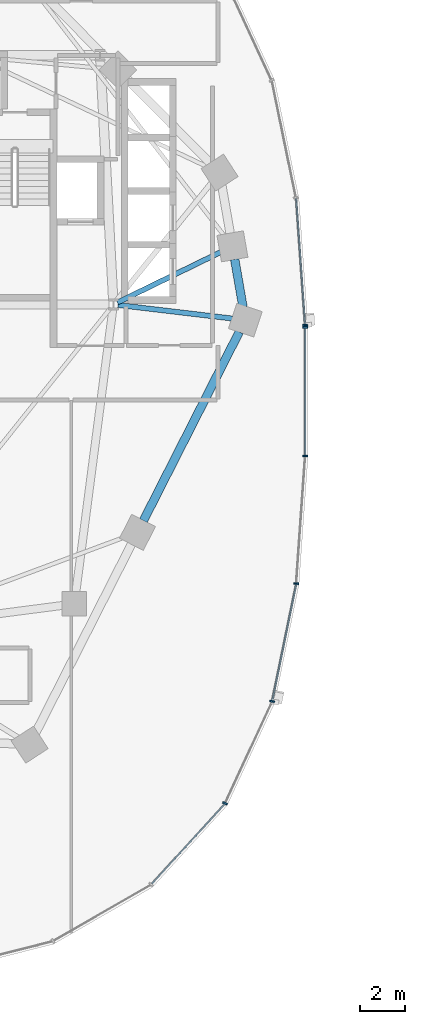
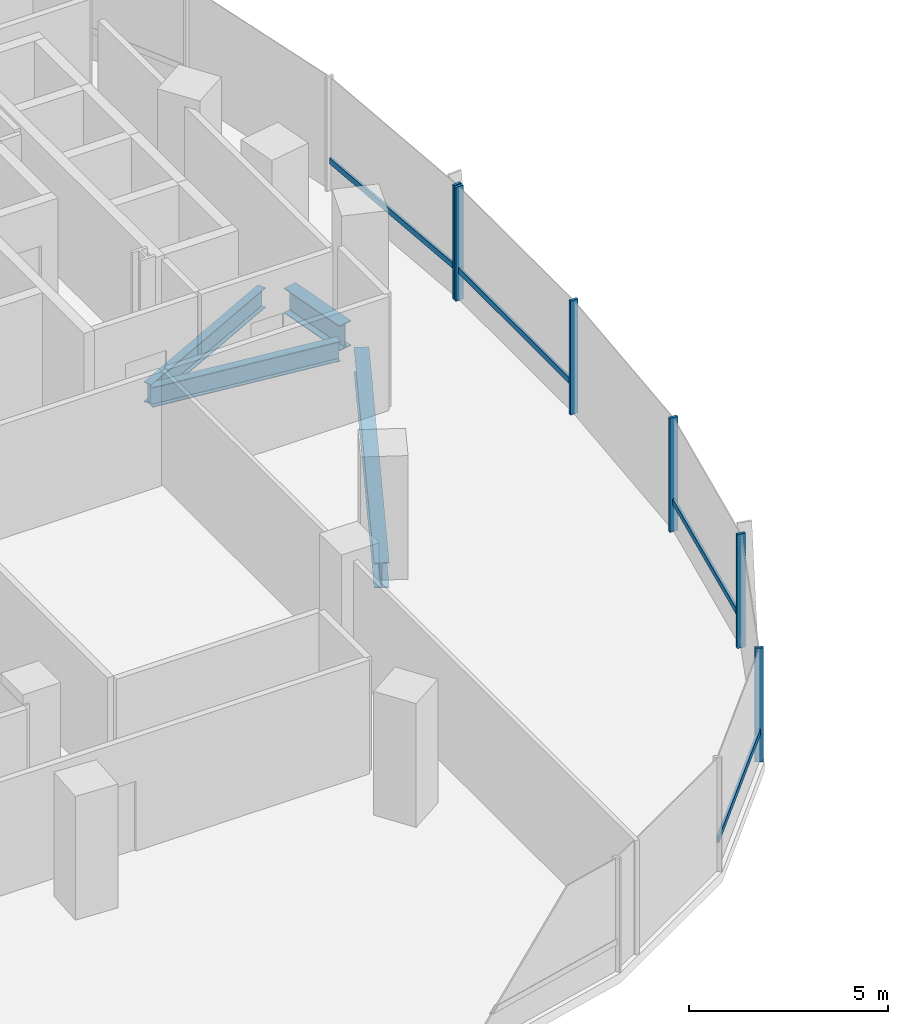
# One storey, part 3 of 21: 10 members, 4 beams, 2 elements without a shape of their own.
"""IFC4 building model written with IfcOpenShell, lengths in metres."""

from ifc_helpers import new_model, si_unit, direction, frame, origin, origin_2d, place, context, subcontext, project, spatial, rectangle, i_section, extrude, material, material_profile, profile_set, type_object, element, aggregate, save


model = new_model("IFC4")

# Units and contexts
model_context = context("Model", 3, precision=1e-05, world=origin(), true_north=direction((0.0, 1.0)))
body_context = subcontext(model_context, "Body", "Model", "MODEL_VIEW")
ifc_project = project(units=[si_unit("LENGTHUNIT", "METRE"), si_unit("AREAUNIT", "SQUARE_METRE"), si_unit("VOLUMEUNIT", "CUBIC_METRE"), si_unit("PLANEANGLEUNIT", "RADIAN"), si_unit("MASSUNIT", "GRAM", prefix="KILO"), si_unit("THERMODYNAMICTEMPERATUREUNIT", "KELVIN"), si_unit("POWERUNIT", "WATT")], contexts=[model_context])

# Site, building, storey
site_placement = place(None, origin())
site = spatial("IfcSite", under=ifc_project, at=site_placement, CompositionType="ELEMENT")
building_placement = place(site_placement, origin())
building = spatial("IfcBuilding", under=site, at=building_placement, Name="Cundina Bronze Exchange", CompositionType="ELEMENT")
storey_placement = place(building_placement, frame((0.0, 0.0, 31.60009765625)))
storey = spatial("IfcBuildingStorey", under=building, at=storey_placement, Name="L07", CompositionType="ELEMENT", Elevation=31.60009765625)

# Beams
ifc_material_1 = material(Name="Steel ASTM A992 Grade 50", Category="steel")
ifc_material_profile_1 = material_profile(ifc_material_1, i_section(OverallWidth=0.22998046875, OverallDepth=0.616943359375, WebThickness=0.01318359375, FlangeThickness=0.022216796875, FilletRadius=0.013916015625, at=origin_2d()), Name="W24X94", Category="steel")
ifc_profile_set_1 = profile_set([ifc_material_profile_1], Name="Steel ASTM A992 Grade 50")
beam_type_1 = type_object("IfcBeamType", Name="BM-FLR-W24B", PredefinedType="BEAM", material=ifc_profile_set_1)
beam_1_placement = place(storey_placement, frame((-21.247314453125, 3.8759765625, -0.608642578125), z_axis=(0.993035236117, -0.117817739878, 0.0), x_axis=(0.117817739878, 0.993035236117, 0.0)))
element("IfcBeam", 1, at=beam_1_placement, inside=storey, type_object=beam_type_1, Name="L07 Leg W Radial Floor Beam 00", PredefinedType="BEAM", context=body_context, shape_type="SweptSolid", body=[
    extrude(i_section(OverallWidth=0.22998046875, OverallDepth=0.616943359375, WebThickness=0.01318359375, FlangeThickness=0.022216796875, FilletRadius=0.013916015625, at=origin_2d()), origin(), (0.0, 0.0, 1.0), 5.1494140625),
])
beam_2_placement = place(storey_placement, frame((-21.2666015625, 3.989501953125, -0.608642578125), z_axis=(0.898610249448, 0.438747785849, 0.0), x_axis=(-0.438747785849, 0.898610249448, 0.0)))
element("IfcBeam", 2, at=beam_2_placement, inside=storey, type_object=beam_type_1, Name="L07 Leg W Radial Floor Beam 01", PredefinedType="BEAM", context=body_context, shape_type="SweptSolid", body=[
    extrude(i_section(OverallWidth=0.22998046875, OverallDepth=0.616943359375, WebThickness=0.01318359375, FlangeThickness=0.022216796875, FilletRadius=0.013916015625, at=origin_2d()), origin(), (0.0, 0.0, 1.0), 5.1337890625),
])
ifc_material_profile_2 = material_profile(ifc_material_1, i_section(OverallWidth=0.381103515625, OverallDepth=0.77294921875, WebThickness=0.0166015625, FlangeThickness=0.027099609375, FilletRadius=0.01904296875, at=origin_2d()), Name="W30X173", Category="steel")
ifc_profile_set_2 = profile_set([ifc_material_profile_2], Name="Steel ASTM A992 Grade 50")
beam_type_2 = type_object("IfcBeamType", Name="BM-RING-W30", PredefinedType="USERDEFINED", material=ifc_profile_set_2)
beam_3_placement = place(storey_placement, frame((-15.65087890625, 3.779296875, -0.6865234375), z_axis=(-0.171734584051, 0.985143254883, 0.0), x_axis=(-0.985143254883, -0.171734584051, 0.0)))
element("IfcBeam", 3, at=beam_3_placement, inside=storey, type_object=beam_type_2, Name="L07 W Perimeter Ring Girder 00", ObjectType="GIRDER", PredefinedType="USERDEFINED", context=body_context, shape_type="SweptSolid", body=[
    extrude(i_section(OverallWidth=0.381103515625, OverallDepth=0.77294921875, WebThickness=0.0166015625, FlangeThickness=0.027099609375, FilletRadius=0.01904296875, at=origin_2d()), origin(), (0.0, 0.0, 1.0), 2.173583984375),
])
beam_4_placement = place(storey_placement, frame((-20.108642578125, -5.775634765625, -0.6865234375), z_axis=(0.452819633606, 0.891602141889, 0.0), x_axis=(-0.891602141889, 0.452819633606, 0.0)))
element("IfcBeam", 4, at=beam_4_placement, inside=storey, type_object=beam_type_2, Name="L07 W Perimeter Ring Girder 13", ObjectType="GIRDER", PredefinedType="USERDEFINED", context=body_context, shape_type="SweptSolid", body=[
    extrude(i_section(OverallWidth=0.381103515625, OverallDepth=0.77294921875, WebThickness=0.0166015625, FlangeThickness=0.027099609375, FilletRadius=0.01904296875, at=origin_2d()), origin(), (0.0, 0.0, 1.0), 9.47900390625),
])

# Curtain wall, member
ifc_material_2 = material(Name="Anodised Bronze Aluminium 6063-T6", Category="aluminium")
curtain_wall_type = type_object("IfcCurtainWallType", Name="CWS-TRD-LOW", PredefinedType="NOTDEFINED", material=ifc_material_2)
curtain_wall_1_placement = place(storey_placement, origin())
curtain_wall_1 = element("IfcCurtainWall", 5, at=curtain_wall_1_placement, inside=storey, type_object=curtain_wall_type, Name="L07 CW-02 Curtain Wall Run CWR-L07-W1", PredefinedType="NOTDEFINED")
ifc_material_profile_3 = material_profile(ifc_material_2, rectangle(XDim=0.074951171875, YDim=0.219970703125, at=origin_2d()), Name="AL75X220", Category="aluminium")
ifc_profile_set_3 = profile_set([ifc_material_profile_3], Name="Anodised Bronze Aluminium 6063-T6")
member_type_1 = type_object("IfcMemberType", Name="CWM-MUL-220", PredefinedType="MULLION", material=ifc_profile_set_3)
member_1_placement = place(storey_placement, frame((-12.87548828125, 2.976318359375, 0.0), z_axis=(0.0, 0.0, 1.0), x_axis=(-0.070278787473, 0.997527389113, 0.0)))
member_1 = element("IfcMember", 6, at=member_1_placement, type_object=member_type_1, Name="CW-02 Mullion 1", PredefinedType="MULLION", context=body_context, shape_type="SweptSolid", body=[
    extrude(rectangle(XDim=0.074951171875, YDim=0.219970703125, at=origin_2d()), origin(), (0.0, 0.0, 1.0), 3.5),
])

# Curtain wall, members
curtain_wall_2_placement = place(storey_placement, origin())
curtain_wall_2 = element("IfcCurtainWall", 7, at=curtain_wall_2_placement, inside=storey, type_object=curtain_wall_type, Name="L07 CW-02 Curtain Wall Run CWR-L07-W4", PredefinedType="NOTDEFINED")
member_2_placement = place(storey_placement, frame((-16.455810546875, -18.423583984375, 0.0), z_axis=(0.0, 0.0, 1.0), x_axis=(0.42087749791, 0.907117485088, 0.0)))
member_2 = element("IfcMember", 8, at=member_2_placement, type_object=member_type_1, Name="CW-02 Mullion 4", PredefinedType="MULLION", context=body_context, shape_type="SweptSolid", body=[
    extrude(rectangle(XDim=0.074951171875, YDim=0.219970703125, at=origin_2d()), origin(), (0.0, 0.0, 1.0), 3.5),
])
member_3_placement = place(storey_placement, frame((-14.348876953125, -13.861328125, 0.0), z_axis=(0.0, 0.0, 1.0), x_axis=(0.201419845156, 0.979505000486, 0.0)))
member_3 = element("IfcMember", 9, at=member_3_placement, type_object=member_type_1, Name="CW-02 Mullion 5", PredefinedType="MULLION", context=body_context, shape_type="SweptSolid", body=[
    extrude(rectangle(XDim=0.074951171875, YDim=0.219970703125, at=origin_2d()), origin(), (0.0, 0.0, 1.0), 3.5),
])
member_4_placement = place(storey_placement, frame((-13.27099609375, -8.591552734375, 0.0), z_axis=(0.0, 0.0, 1.0), x_axis=(0.070278787473, 0.997527389113, 0.0)))
member_4 = element("IfcMember", 10, at=member_4_placement, type_object=member_type_1, Name="CW-02 Mullion 6", PredefinedType="MULLION", context=body_context, shape_type="SweptSolid", body=[
    extrude(rectangle(XDim=0.074951171875, YDim=0.219970703125, at=origin_2d()), origin(), (0.0, 0.0, 1.0), 3.5),
])
member_5_placement = place(storey_placement, frame((-12.8720703125, -2.880615234375, 0.0), z_axis=(0.0, 0.0, 1.0), x_axis=(0.0, 1.0, 0.0)))
member_5 = element("IfcMember", 11, at=member_5_placement, type_object=member_type_1, Name="CW-02 Mullion 7", PredefinedType="MULLION", context=body_context, shape_type="SweptSolid", body=[
    extrude(rectangle(XDim=0.074951171875, YDim=0.219970703125, at=origin_2d()), origin(), (0.0, 0.0, 1.0), 3.5),
])
member_6_placement = place(storey_placement, frame((-12.8720703125, 2.880615234375, 0.0), z_axis=(0.0, 0.0, 1.0), x_axis=(0.0, 1.0, 0.0)))
member_6 = element("IfcMember", 12, at=member_6_placement, type_object=member_type_1, Name="CW-02 End Mullion", PredefinedType="MULLION", context=body_context, shape_type="SweptSolid", body=[
    extrude(rectangle(XDim=0.074951171875, YDim=0.219970703125, at=origin_2d()), origin(), (0.0, 0.0, 1.0), 3.5),
])

# Member
ifc_material_profile_4 = material_profile(ifc_material_2, rectangle(XDim=0.070068359375, YDim=0.179931640625, at=origin_2d()), Name="AL70X180", Category="aluminium")
ifc_profile_set_4 = profile_set([ifc_material_profile_4], Name="Anodised Bronze Aluminium 6063-T6")
member_type_2 = type_object("IfcMemberType", Name="CWM-TRN-180", PredefinedType="USERDEFINED", material=ifc_profile_set_4)
member_7_placement = place(storey_placement, frame((-12.87841796875, 3.017333984375, 0.919921875), z_axis=(-0.070260714471, 0.997528662246, 0.0), x_axis=(-0.997528662246, -0.070260714471, 0.0)))
member_7 = element("IfcMember", 13, at=member_7_placement, type_object=member_type_2, Name="CW-02 Spandrel Transom 1", ObjectType="TRANSOM", PredefinedType="USERDEFINED", context=body_context, shape_type="SweptSolid", body=[
    extrude(rectangle(XDim=0.070068359375, YDim=0.179931640625, at=origin_2d()), origin(), (0.0, 0.0, 1.0), 5.629150390625),
])

aggregate(curtain_wall_1, [member_1, member_7])

member_8_placement = place(storey_placement, frame((-19.73291015625, -22.027099609375, 0.919921875), z_axis=(0.674302794847, 0.738454968743, 0.0), x_axis=(-0.738454968743, 0.674302794847, 0.0)))
member_8 = element("IfcMember", 14, at=member_8_placement, type_object=member_type_2, Name="CW-02 Spandrel Transom 3", ObjectType="TRANSOM", PredefinedType="USERDEFINED", context=body_context, shape_type="SweptSolid", body=[
    extrude(rectangle(XDim=0.070068359375, YDim=0.179931640625, at=origin_2d()), origin(), (0.0, 0.0, 1.0), 4.848388671875),
])

member_9_placement = place(storey_placement, frame((-14.340576171875, -13.821044921875, 0.919921875), z_axis=(0.201427712708, 0.979503382615, 0.0), x_axis=(-0.979503382615, 0.201427712708, 0.0)))
member_9 = element("IfcMember", 15, at=member_9_placement, type_object=member_type_2, Name="CW-02 Spandrel Transom 5", ObjectType="TRANSOM", PredefinedType="USERDEFINED", context=body_context, shape_type="SweptSolid", body=[
    extrude(rectangle(XDim=0.070068359375, YDim=0.179931640625, at=origin_2d()), origin(), (0.0, 0.0, 1.0), 5.291748046875),
])

member_10_placement = place(storey_placement, frame((-12.8720703125, -2.839111328125, 0.919921875), z_axis=(0.0, 1.0, 0.0), x_axis=(-1.0, 0.0, 0.0)))
member_10 = element("IfcMember", 16, at=member_10_placement, type_object=member_type_2, Name="CW-02 Spandrel Transom 7", ObjectType="TRANSOM", PredefinedType="USERDEFINED", context=body_context, shape_type="SweptSolid", body=[
    extrude(rectangle(XDim=0.070068359375, YDim=0.179931640625, at=origin_2d()), origin(), (0.0, 0.0, 1.0), 5.67822265625),
])

aggregate(curtain_wall_2, [member_8, member_2, member_3, member_9, member_4, member_5, member_6, member_10])

save(model, "model.ifc")
